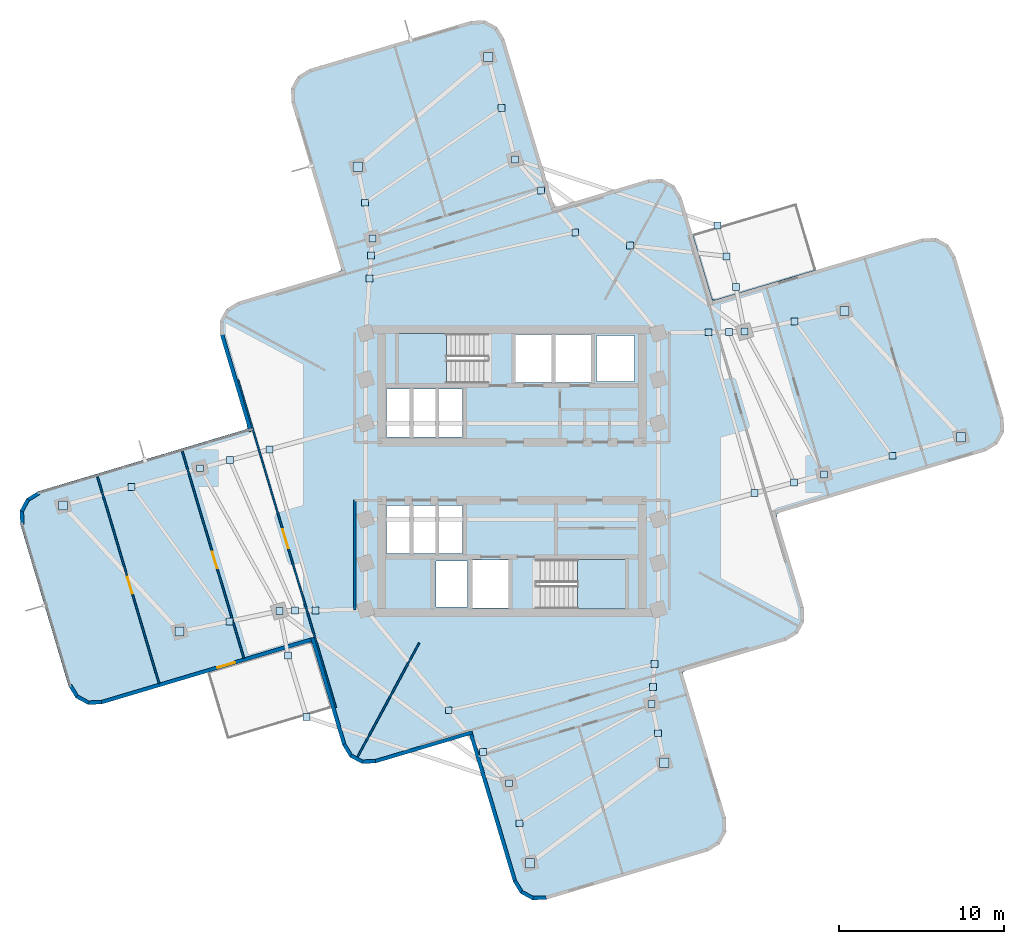
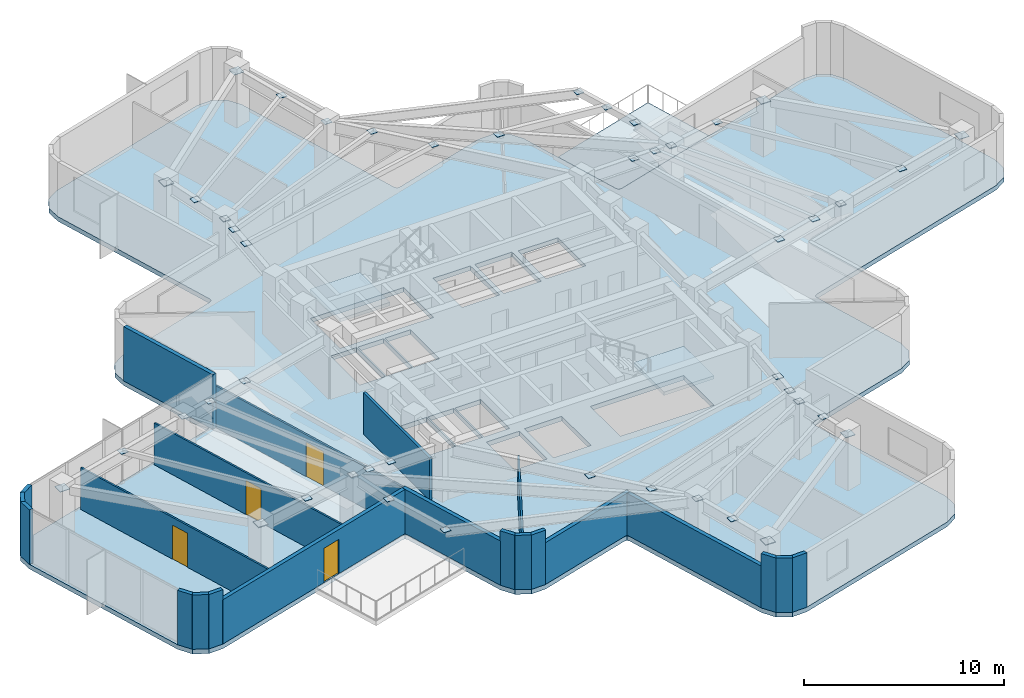
# One storey, part 5 of 11: 46 plates, 22 walls, 4 doors, 4 slabs, 4 openings, 2 elements without a shape of their own.
"""IFC4 building model written with IfcOpenShell, lengths in metres."""

from ifc_helpers import new_model, si_unit, direction, frame, frame_2d, origin, origin_2d, place, context, subcontext, project, spatial, polyline, rectangle, outline, extrude, material, layer, layer_set, type_object, element, fill, aggregate, save


model = new_model("IFC4")

# Units and contexts
model_context = context("Model", 3, precision=1e-05, world=origin(), true_north=direction((0.0, 1.0)))
body_context = subcontext(model_context, "Body", "Model", "MODEL_VIEW")
ifc_project = project(units=[si_unit("LENGTHUNIT", "METRE"), si_unit("AREAUNIT", "SQUARE_METRE"), si_unit("VOLUMEUNIT", "CUBIC_METRE"), si_unit("PLANEANGLEUNIT", "RADIAN"), si_unit("MASSUNIT", "GRAM", prefix="KILO")], contexts=[model_context])

# Site, building, storey
site_placement = place(None, origin())
site = spatial("IfcSite", under=ifc_project, at=site_placement, CompositionType="ELEMENT")
building_placement = place(site_placement, origin())
building = spatial("IfcBuilding", under=site, at=building_placement, Name="Solmarez Civic Tower", CompositionType="ELEMENT")
storey_placement = place(building_placement, frame((0.0, 0.0, 141.47998046875)))
storey = spatial("IfcBuildingStorey", under=building, at=storey_placement, Name="L37", CompositionType="ELEMENT", Elevation=141.47998046875)

# Plates
ifc_material_1 = material(Name="Steel S355", Category="steel")
ifc_layer_1 = layer(ifc_material_1, 0.02392578125)
ifc_layer_set_1 = layer_set([ifc_layer_1], Name="Steel S355")
plate_type_1 = type_object("IfcPlateType", Name="PLT-CAP-380", PredefinedType="USERDEFINED", material=ifc_layer_set_1)
for number, where, z_axis, x_axis, name in (
    (1, (18.860107421875, -0.18310546875, 3.157958984375), (0.0, 0.0, 1.0), (1.0, 0.0, 0.0), "Steel Member End Cap Plate CAP-BM-L37-EA-T1-0"),
    (2, (14.06396484375, 8.445068359375, 3.157958984375), (0.0, 0.0, 1.0), (1.0, 0.0, 0.0), "Steel Member End Cap Plate CAP-BM-L37-EA-T1-1"),
    (3, (23.006103515625, 0.94091796875, 3.157958984375), (0.0, 0.0, 1.0), (1.0, 0.0, 0.0), "Steel Member End Cap Plate CAP-JS-L37-EA-M2-0"),
    (4, (17.0810546875, 9.069091796875, 3.157958984375), (0.0, 0.0, 1.0), (1.0, 0.0, 0.0), "Steel Member End Cap Plate CAP-JS-L37-EA-M2-1"),
    (5, (14.656005859375, -1.323974609375, 3.157958984375), (0.0, 0.0, 1.0), (1.0, 0.0, 0.0), "Steel Member End Cap Plate CAP-JS-L37-EA-M11-0"),
    (6, (11.8740234375, 8.405029296875, 3.157958984375), (0.0, 0.0, 1.0), (1.0, 0.0, 0.0), "Steel Member End Cap Plate CAP-JS-L37-EA-M11-1"),
    (7, (17.05810546875, -0.672119140625, 3.157958984375), (0.0, 0.0, 1.0), (1.0, 0.0, 0.0), "Steel Member End Cap Plate CAP-JS-L37-EA-M12-0"),
    (8, (13.125, 8.427978515625, 3.157958984375), (0.0, 0.0, 1.0), (1.0, 0.0, 0.0), "Steel Member End Cap Plate CAP-JS-L37-EA-M12-1"),
    (9, (0.18310546875, 18.860107421875, 3.157958984375), (0.0, 0.0, 1.0), (1.0, 0.0, 0.0), "Steel Member End Cap Plate CAP-BM-L37-NA-T1-0"),
    (10, (-8.445068359375, 14.06396484375, 3.157958984375), (0.0, 0.0, 1.0), (1.0, 0.0, 0.0), "Steel Member End Cap Plate CAP-BM-L37-NA-T1-1"),
    (11, (-0.626953125, 21.9560546875, 3.157958984375), (0.0, 0.0, 1.0), (1.0, 0.0, 0.0), "Steel Member End Cap Plate CAP-JS-L37-NA-M2-0"),
    (12, (-8.888916015625, 16.236083984375, 3.157958984375), (0.0, 0.0, 1.0), (1.0, 0.0, 0.0), "Steel Member End Cap Plate CAP-JS-L37-NA-M2-1"),
    (13, (3.822998046875, 14.446044921875, 3.157958984375), (0.0, 0.0, 1.0), (1.0, 0.0, 0.0), "Steel Member End Cap Plate CAP-JS-L37-NA-M11-0"),
    (14, (-8.614990234375, 11.6640625, 3.157958984375), (0.0, 0.0, 1.0), (1.0, 0.0, 0.0), "Steel Member End Cap Plate CAP-JS-L37-NA-M11-1"),
    (15, (1.742919921875, 16.968017578125, 3.157958984375), (0.0, 0.0, 1.0), (1.0, 0.0, 0.0), "Steel Member End Cap Plate CAP-JS-L37-NA-M12-0"),
    (16, (-8.51806640625, 13.034912109375, 3.157958984375), (0.0, 0.0, 1.0), (1.0, 0.0, 0.0), "Steel Member End Cap Plate CAP-JS-L37-NA-M12-1"),
    (17, (-18.860107421875, 0.18310546875, 3.157958984375), (0.0, 0.0, 1.0), (1.0, 0.0, 0.0), "Steel Member End Cap Plate CAP-BM-L37-WA-T1-0"),
    (18, (-14.06396484375, -8.445068359375, 3.157958984375), (0.0, 0.0, 1.0), (1.0, 0.0, 0.0), "Steel Member End Cap Plate CAP-BM-L37-WA-T1-1"),
    (19, (-23.006103515625, -0.94091796875, 3.157958984375), (0.0, 0.0, 1.0), (1.0, 0.0, 0.0), "Steel Member End Cap Plate CAP-JS-L37-WA-M2-0"),
    (20, (-17.0810546875, -9.069091796875, 3.157958984375), (0.0, 0.0, 1.0), (1.0, 0.0, 0.0), "Steel Member End Cap Plate CAP-JS-L37-WA-M2-1"),
    (21, (-14.656005859375, 1.323974609375, 3.157958984375), (0.0, 0.0, 1.0), (1.0, 0.0, 0.0), "Steel Member End Cap Plate CAP-JS-L37-WA-M11-0"),
    (22, (-11.8740234375, -8.405029296875, 3.157958984375), (0.0, 0.0, 1.0), (1.0, 0.0, 0.0), "Steel Member End Cap Plate CAP-JS-L37-WA-M11-1"),
    (23, (-17.05810546875, 0.672119140625, 3.157958984375), (0.0, 0.0, 1.0), (1.0, 0.0, 0.0), "Steel Member End Cap Plate CAP-JS-L37-WA-M12-0"),
    (24, (-13.125, -8.427978515625, 3.157958984375), (0.0, 0.0, 1.0), (1.0, 0.0, 0.0), "Steel Member End Cap Plate CAP-JS-L37-WA-M12-1"),
    (25, (-0.18310546875, -18.860107421875, 3.157958984375), (0.0, 0.0, 1.0), (1.0, 0.0, 0.0), "Steel Member End Cap Plate CAP-BM-L37-SA-T1-0"),
    (26, (8.445068359375, -14.06396484375, 3.157958984375), (0.0, 0.0, 1.0), (1.0, 0.0, 0.0), "Steel Member End Cap Plate CAP-BM-L37-SA-T1-1"),
    (27, (0.449951171875, -21.279052734375, 3.157958984375), (0.0, 0.0, 1.0), (1.0, 0.0, 0.0), "Steel Member End Cap Plate CAP-JS-L37-SA-M2-0"),
    (28, (8.825927734375, -15.839111328125, 3.157958984375), (0.0, 0.0, 1.0), (1.0, 0.0, 0.0), "Steel Member End Cap Plate CAP-JS-L37-SA-M2-1"),
    (29, (-3.822998046875, -14.446044921875, 3.157958984375), (0.0, 0.0, 1.0), (1.0, 0.0, 0.0), "Steel Member End Cap Plate CAP-JS-L37-SA-M11-0"),
    (30, (8.614990234375, -11.6640625, 3.157958984375), (0.0, 0.0, 1.0), (1.0, 0.0, 0.0), "Steel Member End Cap Plate CAP-JS-L37-SA-M11-1"),
    (31, (-1.742919921875, -16.968017578125, 3.157958984375), (0.0, 0.0, 1.0), (1.0, 0.0, 0.0), "Steel Member End Cap Plate CAP-JS-L37-SA-M12-0"),
    (32, (8.51806640625, -13.034912109375, 3.157958984375), (0.0, 0.0, 1.0), (1.0, 0.0, 0.0), "Steel Member End Cap Plate CAP-JS-L37-SA-M12-1"),
    (33, (13.533935546875, 11.1298828125, 3.108154296875), (0.0, 0.0, 1.0), (1.0, 0.0, 0.0), "Steel Member End Cap Plate CAP-BM-L37-BALC-NEE-0"),
    (34, (12.419921875, 14.867919921875, 3.108154296875), (0.0, 0.0, 1.0), (1.0, 0.0, 0.0), "Steel Member End Cap Plate CAP-BM-L37-BALC-NEE-1"),
    (35, (7.123046875, 13.652099609375, 3.108154296875), (0.0, 0.0, 1.0), (1.0, 0.0, 0.0), "Steel Member End Cap Plate CAP-BM-L37-BALC-NEM-0"),
    (36, (12.97705078125, 12.9990234375, 3.108154296875), (0.0, 0.0, 1.0), (1.0, 0.0, 0.0), "Steel Member End Cap Plate CAP-BM-L37-BALC-NEM-1"),
    (37, (-13.533935546875, -11.1298828125, 3.108154296875), (0.0, 0.0, 1.0), (1.0, 0.0, 0.0), "Steel Member End Cap Plate CAP-BM-L37-BALC-SWE-0"),
    (38, (-12.419921875, -14.867919921875, 3.108154296875), (0.0, 0.0, 1.0), (1.0, 0.0, 0.0), "Steel Member End Cap Plate CAP-BM-L37-BALC-SWE-1"),
):
    element("IfcPlate", number, at=place(storey_placement, frame(where, z_axis=z_axis, x_axis=x_axis)), inside=storey, type_object=plate_type_1, Name=name, ObjectType="CAP_PLATE", PredefinedType="USERDEFINED", context=body_context, shape_type="SweptSolid", body=[
        extrude(rectangle(XDim=0.419921875, YDim=0.419921875, at=origin_2d()), origin(), (0.0, 0.0, 1.0), 0.02392578125),
    ])
ifc_layer_2 = layer(ifc_material_1, 0.028076171875)
ifc_layer_set_2 = layer_set([ifc_layer_2], Name="Steel S355")
plate_type_2 = type_object("IfcPlateType", Name="PLT-CAP-540", PredefinedType="USERDEFINED", material=ifc_layer_set_2)
for number, where, z_axis, x_axis, name in (
    (39, (27.153076171875, 2.06396484375, 3.05615234375), (0.0, 0.0, 1.0), (1.0, 0.0, 0.0), "Steel Member End Cap Plate CAP-BM-L37-EA-T2-0"),
    (40, (20.097900390625, 9.69189453125, 3.05615234375), (0.0, 0.0, 1.0), (1.0, 0.0, 0.0), "Steel Member End Cap Plate CAP-BM-L37-EA-T2-1"),
    (41, (-1.43701171875, 25.052001953125, 3.05615234375), (0.0, 0.0, 1.0), (1.0, 0.0, 0.0), "Steel Member End Cap Plate CAP-BM-L37-NA-T2-0"),
    (42, (-9.3330078125, 18.408935546875, 3.05615234375), (0.0, 0.0, 1.0), (1.0, 0.0, 0.0), "Steel Member End Cap Plate CAP-BM-L37-NA-T2-1"),
    (43, (-27.153076171875, -2.06396484375, 3.05615234375), (0.0, 0.0, 1.0), (1.0, 0.0, 0.0), "Steel Member End Cap Plate CAP-BM-L37-WA-T2-0"),
    (44, (-20.097900390625, -9.69189453125, 3.05615234375), (0.0, 0.0, 1.0), (1.0, 0.0, 0.0), "Steel Member End Cap Plate CAP-BM-L37-WA-T2-1"),
    (45, (1.0830078125, -23.697021484375, 3.05615234375), (0.0, 0.0, 1.0), (1.0, 0.0, 0.0), "Steel Member End Cap Plate CAP-BM-L37-SA-T2-0"),
    (46, (9.2080078125, -17.614990234375, 3.05615234375), (0.0, 0.0, 1.0), (1.0, 0.0, 0.0), "Steel Member End Cap Plate CAP-BM-L37-SA-T2-1"),
):
    element("IfcPlate", number, at=place(storey_placement, frame(where, z_axis=z_axis, x_axis=x_axis)), inside=storey, type_object=plate_type_2, Name=name, ObjectType="CAP_PLATE", PredefinedType="USERDEFINED", context=body_context, shape_type="SweptSolid", body=[
        extrude(rectangle(XDim=0.56005859375, YDim=0.56005859375, at=origin_2d()), origin(), (0.0, 0.0, 1.0), 0.028076171875),
    ])

# Stair, slab
ifc_material_2 = material(Name="Concrete C50/60", Category="concrete")
stair_type = type_object("IfcStairType", Name="STAIR-DOGLEG-140W-20R-1800", PredefinedType="HALF_TURN_STAIR", material=ifc_material_2)
stair_1_placement = place(storey_placement, origin())
stair_1 = element("IfcStair", 47, at=stair_1_placement, inside=storey, type_object=stair_type, Name="L37 North Core Protected Exit Stair ST-1", PredefinedType="HALF_TURN_STAIR")
ifc_layer_3 = layer(ifc_material_2, 0.199951171875)
ifc_layer_set_3 = layer_set([ifc_layer_3], Name="Concrete C50/60")
slab_type_1 = type_object("IfcSlabType", Name="SLAB-LANDING-200", PredefinedType="LANDING", material=ifc_layer_set_3)
slab_1_placement = place(storey_placement, frame((0.0, 0.0, 1.60009765625)))
slab_1 = element("IfcSlab", 48, at=slab_1_placement, type_object=slab_type_1, Name="ST-1 landing 1", PredefinedType="LANDING", context=body_context, shape_type="SweptSolid", body=[
    extrude(outline(polyline([(-3.969970703125, 8.320068359375), (-6.85009765625, 8.320068359375), (-6.85009765625, 5.320068359375), (-3.969970703125, 5.320068359375), (-3.969970703125, 8.320068359375)])), origin(), (0.0, 0.0, 1.0), 0.199951171875),
])
aggregate(stair_1, [slab_1])

stair_2_placement = place(storey_placement, origin())
stair_2 = element("IfcStair", 49, at=stair_2_placement, inside=storey, type_object=stair_type, Name="L37 South Core Protected Exit Stair ST-2", PredefinedType="HALF_TURN_STAIR")
slab_2_placement = place(storey_placement, frame((0.0, 0.0, 1.60009765625)))
slab_2 = element("IfcSlab", 50, at=slab_2_placement, type_object=slab_type_1, Name="ST-2 landing 1", PredefinedType="LANDING", context=body_context, shape_type="SweptSolid", body=[
    extrude(outline(polyline([(3.969970703125, -8.320068359375), (6.85009765625, -8.320068359375), (6.85009765625, -5.320068359375), (3.969970703125, -5.320068359375), (3.969970703125, -8.320068359375)])), origin(), (0.0, 0.0, 1.0), 0.199951171875),
])
aggregate(stair_2, [slab_2])

# Slabs
ifc_layer_4 = layer(ifc_material_2, 0.280029296875)
ifc_layer_set_4 = layer_set([ifc_layer_4], Name="Concrete C50/60")
slab_type_2 = type_object("IfcSlabType", Name="SLAB-TOWER-280", PredefinedType="FLOOR", material=ifc_layer_set_4)
slab_3_placement = place(storey_placement, frame((0.0, 0.0, -0.280029296875)))
element("IfcSlab", 51, at=slab_3_placement, inside=storey, type_object=slab_type_2, Name="L37 Structural Slab", PredefinedType="FLOOR", context=body_context, shape_type="SweptSolid", body=[
    extrude(outline(polyline([(-12.054931640625, -10.491943359375), (-10.243896484375, -16.56689453125), (-9.81005859375, -17.27197265625), (-9.0810546875, -17.666015625), (-8.25390625, -17.64306640625), (-2.77294921875, -16.009033203125), (-2.60107421875, -16.0048828125), (-2.510009765625, -16.15087890625), (0.072021484375, -24.81396484375), (0.506103515625, -25.51904296875), (1.23388671875, -25.9130859375), (2.06201171875, -25.889892578125), (11.85595703125, -22.969970703125), (12.56201171875, -22.535888671875), (12.9560546875, -21.80810546875), (12.93310546875, -20.97998046875), (10.35009765625, -12.31689453125), (10.344970703125, -12.14501953125), (10.491943359375, -12.054931640625), (16.56689453125, -10.243896484375), (17.27197265625, -9.81005859375), (17.666015625, -9.0810546875), (17.64306640625, -8.25390625), (16.009033203125, -2.77294921875), (16.0048828125, -2.60107421875), (16.15087890625, -2.510009765625), (28.64697265625, 1.215087890625), (29.35205078125, 1.64892578125), (29.74609375, 2.376953125), (29.722900390625, 3.205078125), (26.802978515625, 12.9990234375), (26.368896484375, 13.705078125), (25.64111328125, 14.09912109375), (24.81298828125, 14.074951171875), (12.31689453125, 10.35009765625), (12.14501953125, 10.344970703125), (12.054931640625, 10.491943359375), (10.243896484375, 16.56689453125), (9.81005859375, 17.27197265625), (9.0810546875, 17.666015625), (8.25390625, 17.64306640625), (2.77294921875, 16.009033203125), (2.60107421875, 16.0048828125), (2.510009765625, 16.15087890625), (-0.471923828125, 26.155029296875), (-0.906005859375, 26.861083984375), (-1.634033203125, 27.2548828125), (-2.4619140625, 27.23095703125), (-12.256103515625, 24.31201171875), (-12.9619140625, 23.8779296875), (-13.35595703125, 23.14892578125), (-13.3330078125, 22.321044921875), (-10.35009765625, 12.31689453125), (-10.344970703125, 12.14501953125), (-10.491943359375, 12.054931640625), (-16.56689453125, 10.243896484375), (-17.27197265625, 9.81005859375), (-17.666015625, 9.0810546875), (-17.64306640625, 8.25390625), (-16.009033203125, 2.77294921875), (-16.0048828125, 2.60107421875), (-16.15087890625, 2.510009765625), (-28.64697265625, -1.215087890625), (-29.35205078125, -1.64892578125), (-29.74609375, -2.376953125), (-29.722900390625, -3.205078125), (-26.802978515625, -12.9990234375), (-26.368896484375, -13.705078125), (-25.64111328125, -14.09912109375), (-24.81298828125, -14.074951171875), (-12.31689453125, -10.35009765625), (-12.14501953125, -10.344970703125), (-12.054931640625, -10.491943359375)]), holes=[polyline([(-1.449951171875, 8.320068359375), (-6.85009765625, 8.320068359375), (-6.85009765625, 5.320068359375), (-1.449951171875, 5.320068359375), (-1.449951171875, 8.320068359375)]), polyline([(1.449951171875, -8.320068359375), (6.85009765625, -8.320068359375), (6.85009765625, -5.320068359375), (1.449951171875, -5.320068359375), (1.449951171875, -8.320068359375)]), polyline([(0.219970703125, 5.360107421875), (2.3798828125, 5.360107421875), (2.3798828125, 8.280029296875), (0.219970703125, 8.280029296875), (0.219970703125, 5.360107421875)]), polyline([(2.6201171875, 5.360107421875), (4.780029296875, 5.360107421875), (4.780029296875, 8.280029296875), (2.6201171875, 8.280029296875), (2.6201171875, 5.360107421875)]), polyline([(-2.3798828125, -8.280029296875), (-0.219970703125, -8.280029296875), (-0.219970703125, -5.360107421875), (-2.3798828125, -5.360107421875), (-2.3798828125, -8.280029296875)]), polyline([(-7.60009765625, -4.9599609375), (-6.1201171875, -4.9599609375), (-6.1201171875, -2.06005859375), (-7.60009765625, -2.06005859375), (-7.60009765625, -4.9599609375)]), polyline([(-6.0400390625, -4.9599609375), (-4.56005859375, -4.9599609375), (-4.56005859375, -2.06005859375), (-6.0400390625, -2.06005859375), (-6.0400390625, -4.9599609375)]), polyline([(-4.47998046875, -4.9599609375), (-3.0, -4.9599609375), (-3.0, -2.06005859375), (-4.47998046875, -2.06005859375), (-4.47998046875, -4.9599609375)]), polyline([(-7.60009765625, 2.06005859375), (-6.1201171875, 2.06005859375), (-6.1201171875, 4.9599609375), (-7.60009765625, 4.9599609375), (-7.60009765625, 2.06005859375)]), polyline([(-6.0400390625, 2.06005859375), (-4.56005859375, 2.06005859375), (-4.56005859375, 4.9599609375), (-6.0400390625, 4.9599609375), (-6.0400390625, 2.06005859375)]), polyline([(-4.47998046875, 2.06005859375), (-3.0, 2.06005859375), (-3.0, 4.9599609375), (-4.47998046875, 4.9599609375), (-4.47998046875, 2.06005859375)]), polyline([(5.10009765625, 5.419921875), (7.39990234375, 5.419921875), (7.39990234375, 8.219970703125), (5.10009765625, 8.219970703125), (5.10009765625, 5.419921875)]), polyline([(-4.60009765625, -8.219970703125), (-2.699951171875, -8.219970703125), (-2.699951171875, -5.419921875), (-4.60009765625, -5.419921875), (-4.60009765625, -8.219970703125)])]), origin(), (0.0, 0.0, 1.0), 0.280029296875),
])
slab_4_placement = place(storey_placement, frame((0.0, 0.0, -0.280029296875)))
element("IfcSlab", 52, at=slab_4_placement, inside=storey, type_object=slab_type_2, Name="L37 Re-entrant Corner Winter-Garden Balcony NE", PredefinedType="FLOOR", context=body_context, shape_type="SweptSolid", body=[
    extrude(outline(polyline([(10.9169921875, 14.31591796875), (12.056884765625, 10.492919921875), (12.14599609375, 10.346923828125), (12.31689453125, 10.35205078125), (18.39208984375, 12.1630859375), (17.19189453125, 16.18603515625), (10.9169921875, 14.31591796875)])), origin(), (0.0, 0.0, 1.0), 0.280029296875),
])

# Wall, opening, door
ifc_material_3 = material(Name="Precast concrete C40/50", Category="concrete")
ifc_layer_5 = layer(ifc_material_3, 0.219970703125)
ifc_layer_set_5 = layer_set([ifc_layer_5], Name="Precast concrete C40/50")
wall_type_1 = type_object("IfcWallType", Name="WALL-EXT-220", PredefinedType="SOLIDWALL", material=ifc_layer_set_5)
wall_1_placement = place(storey_placement, frame((-11.95703125, -10.12890625, 0.0), z_axis=(0.0, 0.0, 1.0), x_axis=(-0.958343962332, -0.285616613419, 0.0)))
wall_1 = element("IfcWall", 53, at=wall_1_placement, inside=storey, type_object=wall_type_1, Name="L37 Exterior Precast Wall 2", PredefinedType="SOLIDWALL", context=body_context, shape_type="SweptSolid", body=[
    extrude(rectangle(XDim=13.45849609375, YDim=0.219970703125, at=frame_2d((6.729248046875, 0.0))), origin(), (0.0, 0.0, 1.0), 2.699951171875),
])
opening_1_placement = place(wall_1_placement, frame((5.0, 0.0, 0.0)))
opening_1 = element("IfcOpeningElement", 54, at=opening_1_placement, cuts=wall_1, Name="Opening D-06", PredefinedType="OPENING", context=body_context, shape_type="SweptSolid", body=[
    extrude(rectangle(XDim=1.10009765625, YDim=2.10009765625, at=frame_2d((0.550048828125, 1.050048828125))), frame((0.0, 0.119873046875, 0.0), z_axis=(0.0, -1.0, 0.0), x_axis=(1.0, 0.0, 0.0)), (0.0, 0.0, 1.0), 0.239990234375),
])
ifc_material_4 = material(Name="Bronze Anodised Aluminium Glazed Terrace Door", Category="aluminium")
door_type_1 = type_object("IfcDoorType", Name="DOOR-TERR-1100", OperationType="NOTDEFINED", PredefinedType="DOOR", material=ifc_material_4)
door_1_placement = place(opening_1_placement, origin())
door_1 = element("IfcDoor", 55, at=door_1_placement, inside=storey, type_object=door_type_1, Name="L37 Outdoor Terrace Glazed Door", OperationType="SINGLE_SWING_RIGHT", OverallHeight=2.10009765625, OverallWidth=1.10009765625, PredefinedType="DOOR", context=body_context, shape_type="SweptSolid", body=[
    extrude(rectangle(XDim=1.10009765625, YDim=2.10009765625, at=frame_2d((0.550048828125, 1.050048828125))), frame((0.0, 0.02490234375, 0.0), z_axis=(0.0, -1.0, 0.0), x_axis=(1.0, 0.0, 0.0)), (0.0, 0.0, 1.0), 0.050048828125),
])
fill(opening_1, door_1)

# Walls
wall_2_placement = place(storey_placement, frame((-24.805908203125, -13.965087890625, 0.0), z_axis=(0.0, 0.0, 1.0), x_axis=(-0.999587773882, -0.028710317069, 0.0)))
element("IfcWall", 56, at=wall_2_placement, inside=storey, type_object=wall_type_1, Name="L37 Exterior Precast Wall 3", PredefinedType="SOLIDWALL", context=body_context, shape_type="SweptSolid", body=[
    extrude(rectangle(XDim=0.833251953125, YDim=0.219970703125, at=frame_2d((0.41650390625, 0.0))), origin(), (0.0, 0.0, 1.0), 3.320068359375),
])
wall_3_placement = place(storey_placement, frame((-25.592041015625, -14.0, 0.0), z_axis=(0.0, 0.0, 1.0), x_axis=(-0.879608832869, 0.47569769932, 0.0)))
element("IfcWall", 57, at=wall_3_placement, inside=storey, type_object=wall_type_1, Name="L37 Exterior Precast Wall 4", PredefinedType="SOLIDWALL", context=body_context, shape_type="SweptSolid", body=[
    extrude(rectangle(XDim=0.819580078125, YDim=0.219970703125, at=frame_2d((0.40966796875, 0.0))), origin(), (0.0, 0.0, 1.0), 3.320068359375),
])
wall_4_placement = place(storey_placement, frame((-26.278076171875, -13.64306640625, 0.0), z_axis=(0.0, 0.0, 1.0), x_axis=(-0.524195456684, 0.851597982144, 0.0)))
element("IfcWall", 58, at=wall_4_placement, inside=storey, type_object=wall_type_1, Name="L37 Exterior Precast Wall 5", PredefinedType="SOLIDWALL", context=body_context, shape_type="SweptSolid", body=[
    extrude(rectangle(XDim=0.833740234375, YDim=0.219970703125, at=frame_2d((0.4169921875, 0.0))), origin(), (0.0, 0.0, 1.0), 3.320068359375),
])
wall_5_placement = place(storey_placement, frame((-29.613037109375, -3.212890625, 0.0), z_axis=(0.0, 0.0, 1.0), x_axis=(-0.027507151941, 0.999621606705, 0.0)))
element("IfcWall", 59, at=wall_5_placement, inside=storey, type_object=wall_type_1, Name="L37 Exterior Precast Wall 7", PredefinedType="SOLIDWALL", context=body_context, shape_type="SweptSolid", body=[
    extrude(rectangle(XDim=0.834228515625, YDim=0.219970703125, at=frame_2d((0.4169921875, 0.0))), origin(), (0.0, 0.0, 1.0), 3.320068359375),
])
wall_6_placement = place(storey_placement, frame((-29.64697265625, -2.426025390625, 0.0), z_axis=(0.0, 0.0, 1.0), x_axis=(0.474775054815, 0.880107179453, 0.0)))
element("IfcWall", 60, at=wall_6_placement, inside=storey, type_object=wall_type_1, Name="L37 Exterior Precast Wall 8", PredefinedType="SOLIDWALL", context=body_context, shape_type="SweptSolid", body=[
    extrude(rectangle(XDim=0.819091796875, YDim=0.219970703125, at=frame_2d((0.40966796875, 0.0))), origin(), (0.0, 0.0, 1.0), 3.320068359375),
])
wall_7_placement = place(storey_placement, frame((-29.291015625, -1.739990234375, 0.0), z_axis=(0.0, 0.0, 1.0), x_axis=(0.851597982144, 0.524195456684, 0.0)))
element("IfcWall", 61, at=wall_7_placement, inside=storey, type_object=wall_type_1, Name="L37 Exterior Precast Wall 9", PredefinedType="SOLIDWALL", context=body_context, shape_type="SweptSolid", body=[
    extrude(rectangle(XDim=0.833740234375, YDim=0.219970703125, at=frame_2d((0.4169921875, 0.0))), origin(), (0.0, 0.0, 1.0), 3.320068359375),
])
wall_8_placement = place(storey_placement, frame((-15.787109375, 2.412109375, 0.0), z_axis=(0.0, 0.0, 1.0), x_axis=(-0.285712854037, 0.958315274342, 0.0)))
element("IfcWall", 62, at=wall_8_placement, inside=storey, type_object=wall_type_1, Name="L37 Exterior Precast Wall 13", PredefinedType="SOLIDWALL", context=body_context, shape_type="SweptSolid", body=[
    extrude(rectangle(XDim=6.138671875, YDim=0.219970703125, at=frame_2d((3.0693359375, 0.0))), origin(), (0.0, 0.0, 1.0), 3.320068359375),
])
wall_9_placement = place(storey_placement, frame((2.070068359375, -25.779052734375, 0.0), z_axis=(0.0, 0.0, 1.0), x_axis=(-0.999588738122, -0.028676726094, 0.0)))
element("IfcWall", 63, at=wall_9_placement, inside=storey, type_object=wall_type_1, Name="L37 Exterior Precast Wall 61", PredefinedType="SOLIDWALL", context=body_context, shape_type="SweptSolid", body=[
    extrude(rectangle(XDim=0.834228515625, YDim=0.219970703125, at=frame_2d((0.4169921875, 0.0))), origin(), (0.0, 0.0, 1.0), 3.320068359375),
])
wall_10_placement = place(storey_placement, frame((1.282958984375, -25.81396484375, 0.0), z_axis=(0.0, 0.0, 1.0), x_axis=(-0.879608832869, 0.47569769932, 0.0)))
element("IfcWall", 64, at=wall_10_placement, inside=storey, type_object=wall_type_1, Name="L37 Exterior Precast Wall 62", PredefinedType="SOLIDWALL", context=body_context, shape_type="SweptSolid", body=[
    extrude(rectangle(XDim=0.819580078125, YDim=0.219970703125, at=frame_2d((0.40966796875, 0.0))), origin(), (0.0, 0.0, 1.0), 3.320068359375),
])
wall_11_placement = place(storey_placement, frame((0.596923828125, -25.45703125, 0.0), z_axis=(0.0, 0.0, 1.0), x_axis=(-0.524195456684, 0.851597982144, 0.0)))
element("IfcWall", 65, at=wall_11_placement, inside=storey, type_object=wall_type_1, Name="L37 Exterior Precast Wall 63", PredefinedType="SOLIDWALL", context=body_context, shape_type="SweptSolid", body=[
    extrude(rectangle(XDim=0.833740234375, YDim=0.219970703125, at=frame_2d((0.4169921875, 0.0))), origin(), (0.0, 0.0, 1.0), 3.320068359375),
])
wall_12_placement = place(storey_placement, frame((0.179931640625, -24.7919921875, 0.0), z_axis=(0.0, 0.0, 1.0), x_axis=(-0.28557596478, 0.958356075966, 0.0)))
element("IfcWall", 66, at=wall_12_placement, inside=storey, type_object=wall_type_1, Name="L37 Exterior Precast Wall 64", PredefinedType="SOLIDWALL", context=body_context, shape_type="SweptSolid", body=[
    extrude(rectangle(XDim=9.457763671875, YDim=0.219970703125, at=frame_2d((4.72900390625, 0.0))), origin(), (0.0, 0.0, 1.0), 2.550048828125),
])
wall_13_placement = place(storey_placement, frame((-2.412109375, -15.787109375, 0.0), z_axis=(0.0, 0.0, 1.0), x_axis=(-0.958315274342, -0.285712854037, 0.0)))
element("IfcWall", 67, at=wall_13_placement, inside=storey, type_object=wall_type_1, Name="L37 Exterior Precast Wall 67", PredefinedType="SOLIDWALL", context=body_context, shape_type="SweptSolid", body=[
    extrude(rectangle(XDim=6.138671875, YDim=0.219970703125, at=frame_2d((3.0693359375, 0.0))), origin(), (0.0, 0.0, 1.0), 2.550048828125),
])
wall_14_placement = place(storey_placement, frame((-8.24609375, -17.532958984375, 0.0), z_axis=(0.0, 0.0, 1.0), x_axis=(-0.999588738122, -0.028676726094, 0.0)))
element("IfcWall", 68, at=wall_14_placement, inside=storey, type_object=wall_type_1, Name="L37 Exterior Precast Wall 68", PredefinedType="SOLIDWALL", context=body_context, shape_type="SweptSolid", body=[
    extrude(rectangle(XDim=0.834228515625, YDim=0.219970703125, at=frame_2d((0.4169921875, 0.0))), origin(), (0.0, 0.0, 1.0), 3.320068359375),
])
wall_15_placement = place(storey_placement, frame((-9.032958984375, -17.568115234375, 0.0), z_axis=(0.0, 0.0, 1.0), x_axis=(-0.879484183411, 0.475928115507, 0.0)))
element("IfcWall", 69, at=wall_15_placement, inside=storey, type_object=wall_type_1, Name="L37 Exterior Precast Wall 69", PredefinedType="SOLIDWALL", context=body_context, shape_type="SweptSolid", body=[
    extrude(rectangle(XDim=0.81982421875, YDim=0.219970703125, at=frame_2d((0.409912109375, 0.0))), origin(), (0.0, 0.0, 1.0), 3.320068359375),
])
wall_16_placement = place(storey_placement, frame((-9.718994140625, -17.2109375, 0.0), z_axis=(0.0, 0.0, 1.0), x_axis=(-0.524195456684, 0.851597982144, 0.0)))
element("IfcWall", 70, at=wall_16_placement, inside=storey, type_object=wall_type_1, Name="L37 Exterior Precast Wall 70", PredefinedType="SOLIDWALL", context=body_context, shape_type="SweptSolid", body=[
    extrude(rectangle(XDim=0.833740234375, YDim=0.219970703125, at=frame_2d((0.4169921875, 0.0))), origin(), (0.0, 0.0, 1.0), 3.320068359375),
])
wall_17_placement = place(storey_placement, frame((-10.135986328125, -16.5458984375, 0.0), z_axis=(0.0, 0.0, 1.0), x_axis=(-0.285607207592, 0.958346765514, 0.0)))
element("IfcWall", 71, at=wall_17_placement, inside=storey, type_object=wall_type_1, Name="L37 Exterior Precast Wall 71", PredefinedType="SOLIDWALL", context=body_context, shape_type="SweptSolid", body=[
    extrude(rectangle(XDim=6.75732421875, YDim=0.219970703125, at=frame_2d((3.378662109375, 0.0))), origin(), (0.0, 0.0, 1.0), 2.699951171875),
])
ifc_material_5 = material(Name="Gypsum Board Acoustic Steel-Stud Partition", Category="steel")
ifc_layer_6 = layer(ifc_material_5, 0.14990234375)
ifc_layer_set_6 = layer_set([ifc_layer_6], Name="Gypsum Board Acoustic Steel-Stud Partition")
wall_type_2 = type_object("IfcWallType", Name="WALL-INT-FIRE-150", PredefinedType="PARTITIONING", material=ifc_layer_set_6)
wall_18_placement = place(storey_placement, frame((-9.52001953125, -8.3798828125, 0.0), z_axis=(0.0, 0.0, 1.0), x_axis=(0.0, 1.0, 0.0)))
element("IfcWall", 72, at=wall_18_placement, inside=storey, type_object=wall_type_2, Name="L37 Interior Partition CHW-L37-WS1", PredefinedType="PARTITIONING", context=body_context, shape_type="SweptSolid", body=[
    extrude(rectangle(XDim=6.6298828125, YDim=0.14990234375, at=frame_2d((3.31494140625, 0.0))), origin(), (0.0, 0.0, 1.0), 2.550048828125),
])
ifc_layer_7 = layer(ifc_material_5, 0.10009765625)
ifc_layer_set_7 = layer_set([ifc_layer_7], Name="Gypsum Board Acoustic Steel-Stud Partition")
wall_type_3 = type_object("IfcWallType", Name="WALL-INT-PART-100", PredefinedType="PARTITIONING", material=ifc_layer_set_7)
wall_19_placement = place(storey_placement, frame((-5.612060546875, -10.3798828125, 0.0), z_axis=(0.0, 0.0, 1.0), x_axis=(-0.475666815962, -0.879625534073, 0.0)))
element("IfcWall", 73, at=wall_19_placement, inside=storey, type_object=wall_type_3, Name="L37 Interior Partition PT-L37-QDIV-3", PredefinedType="PARTITIONING", context=body_context, shape_type="SweptSolid", body=[
    extrude(rectangle(XDim=7.875, YDim=0.10009765625, at=frame_2d((3.9375, 0.0))), origin(), (0.0, 0.0, 1.0), 2.550048828125),
])

# Wall, opening, door
wall_20_placement = place(storey_placement, frame((-10.655029296875, -14.279052734375, 0.0), z_axis=(0.0, 0.0, 1.0), x_axis=(-0.285665949025, 0.958329257389, 0.0)))
wall_20 = element("IfcWall", 74, at=wall_20_placement, inside=storey, type_object=wall_type_3, Name="L37 Interior Partition PT-L37-W-ENT", PredefinedType="PARTITIONING", context=body_context, shape_type="SweptSolid", body=[
    extrude(rectangle(XDim=20.659912109375, YDim=0.10009765625, at=frame_2d((10.330078125, 0.0))), origin(), (0.0, 0.0, 1.0), 2.550048828125),
])
opening_2_placement = place(wall_20_placement, frame((10.0400390625, 0.0, 0.0)))
opening_2 = element("IfcOpeningElement", 75, at=opening_2_placement, cuts=wall_20, Name="Opening D-11", PredefinedType="OPENING", context=body_context, shape_type="SweptSolid", body=[
    extrude(rectangle(XDim=1.199951171875, YDim=2.10009765625, at=frame_2d((0.60009765625, 1.050048828125))), frame((0.0, 0.06005859375, 0.0), z_axis=(0.0, -1.0, 0.0), x_axis=(1.0, 0.0, 0.0)), (0.0, 0.0, 1.0), 0.1201171875),
])
ifc_material_6 = material(Name="Glazed-Vision Acoustic Chamber Door", Category="wood")
door_type_2 = type_object("IfcDoorType", Name="DOOR-INT-1200", OperationType="NOTDEFINED", PredefinedType="DOOR", material=ifc_material_6)
door_2_placement = place(opening_2_placement, origin())
door_2 = element("IfcDoor", 76, at=door_2_placement, inside=storey, type_object=door_type_2, Name="L37 Directorate Office First West Door", OperationType="SINGLE_SWING_LEFT", OverallHeight=2.10009765625, OverallWidth=1.199951171875, PredefinedType="DOOR", context=body_context, shape_type="SweptSolid", body=[
    extrude(rectangle(XDim=1.199951171875, YDim=2.10009765625, at=frame_2d((0.60009765625, 1.050048828125))), frame((0.0, 0.02490234375, 0.0), z_axis=(0.0, -1.0, 0.0), x_axis=(1.0, 0.0, 0.0)), (0.0, 0.0, 1.0), 0.050048828125),
])
fill(opening_2, door_2)

wall_21_placement = place(storey_placement, frame((-16.202880859375, -11.31591796875, 0.0), z_axis=(0.0, 0.0, 1.0), x_axis=(-0.285679130118, 0.958325328171, 0.0)))
wall_21 = element("IfcWall", 77, at=wall_21_placement, inside=storey, type_object=wall_type_3, Name="L37 Interior Partition PT-L37-W-SC1", PredefinedType="PARTITIONING", context=body_context, shape_type="SweptSolid", body=[
    extrude(rectangle(XDim=13.0498046875, YDim=0.10009765625, at=frame_2d((6.52490234375, 0.0))), origin(), (0.0, 0.0, 1.0), 2.550048828125),
])
opening_3_placement = place(wall_21_placement, frame((5.68896484375, 0.0, 0.0)))
opening_3 = element("IfcOpeningElement", 78, at=opening_3_placement, cuts=wall_21, Name="Opening D-13", PredefinedType="OPENING", context=body_context, shape_type="SweptSolid", body=[
    extrude(rectangle(XDim=1.050048828125, YDim=2.080078125, at=frame_2d((0.52490234375, 1.0400390625))), frame((0.0, 0.06005859375, 0.0), z_axis=(0.0, -1.0, 0.0), x_axis=(1.0, 0.0, 0.0)), (0.0, 0.0, 1.0), 0.1201171875),
])
ifc_material_7 = material(Name="Timber Directorate Office Door", Category="wood")
door_type_3 = type_object("IfcDoorType", Name="DOOR-INT-1050", OperationType="NOTDEFINED", PredefinedType="DOOR", material=ifc_material_7)
door_3_placement = place(opening_3_placement, origin())
door_3 = element("IfcDoor", 79, at=door_3_placement, inside=storey, type_object=door_type_3, Name="L37 Legal Counselling Room West Door", OperationType="SINGLE_SWING_LEFT", OverallHeight=2.080078125, OverallWidth=1.050048828125, PredefinedType="DOOR", context=body_context, shape_type="SweptSolid", body=[
    extrude(rectangle(XDim=1.050048828125, YDim=2.080078125, at=frame_2d((0.52490234375, 1.0400390625))), frame((0.0, 0.02490234375, 0.0), z_axis=(0.0, -1.0, 0.0), x_axis=(1.0, 0.0, 0.0)), (0.0, 0.0, 1.0), 0.050048828125),
])
fill(opening_3, door_3)

wall_22_placement = place(storey_placement, frame((-21.330078125, -12.843994140625, 0.0), z_axis=(0.0, 0.0, 1.0), x_axis=(-0.285674008308, 0.958326854981, 0.0)))
wall_22 = element("IfcWall", 80, at=wall_22_placement, inside=storey, type_object=wall_type_3, Name="L37 Interior Partition PT-L37-W-SC2", PredefinedType="PARTITIONING", context=body_context, shape_type="SweptSolid", body=[
    extrude(rectangle(XDim=13.050048828125, YDim=0.10009765625, at=frame_2d((6.52490234375, 0.0))), origin(), (0.0, 0.0, 1.0), 2.550048828125),
])
opening_4_placement = place(wall_22_placement, frame((5.68994140625, 0.0, 0.0)))
opening_4 = element("IfcOpeningElement", 81, at=opening_4_placement, cuts=wall_22, Name="Opening D-13", PredefinedType="OPENING", context=body_context, shape_type="SweptSolid", body=[
    extrude(rectangle(XDim=1.050048828125, YDim=2.080078125, at=frame_2d((0.52490234375, 1.0400390625))), frame((0.0, 0.06005859375, 0.0), z_axis=(0.0, -1.0, 0.0), x_axis=(1.0, 0.0, 0.0)), (0.0, 0.0, 1.0), 0.1201171875),
])
door_4_placement = place(opening_4_placement, origin())
door_4 = element("IfcDoor", 82, at=door_4_placement, inside=storey, type_object=door_type_3, Name="L37 Policy Administration Office West Door", OperationType="SINGLE_SWING_RIGHT", OverallHeight=2.080078125, OverallWidth=1.050048828125, PredefinedType="DOOR", context=body_context, shape_type="SweptSolid", body=[
    extrude(rectangle(XDim=1.050048828125, YDim=2.080078125, at=frame_2d((0.52490234375, 1.0400390625))), frame((0.0, 0.02490234375, 0.0), z_axis=(0.0, -1.0, 0.0), x_axis=(1.0, 0.0, 0.0)), (0.0, 0.0, 1.0), 0.050048828125),
])
fill(opening_4, door_4)

save(model, "model.ifc")
